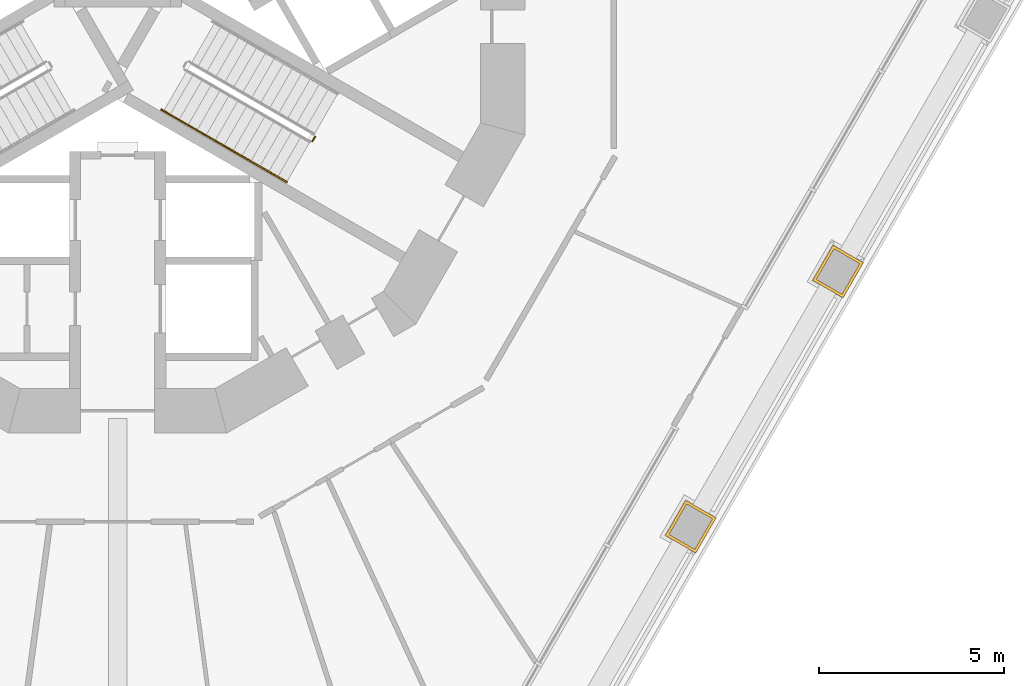
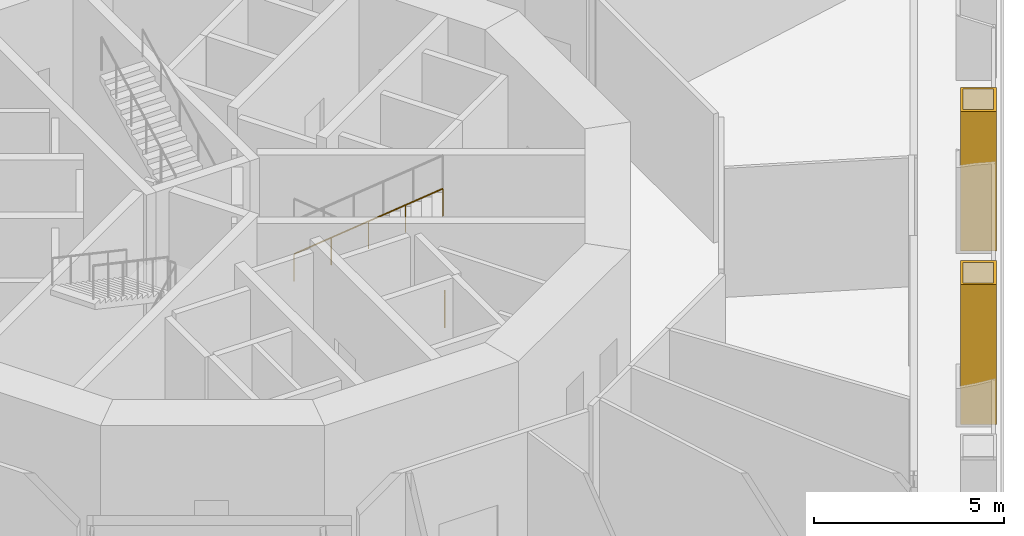
# One storey, part 17 of 21: 3 railings, 2 coverings.
"""IFC4 building model written with IfcOpenShell, lengths in metres."""

from ifc_helpers import new_model, si_unit, direction, frame, origin, origin_2d, place, context, subcontext, project, spatial, polyline, circle, outline, extrude, material, layer, layer_set, type_object, element, save


model = new_model("IFC4")

# Units and contexts
model_context = context("Model", 3, precision=1e-05, world=origin(), true_north=direction((0.0, 1.0)))
body_context = subcontext(model_context, "Body", "Model", "MODEL_VIEW")
ifc_project = project(units=[si_unit("LENGTHUNIT", "METRE"), si_unit("AREAUNIT", "SQUARE_METRE"), si_unit("VOLUMEUNIT", "CUBIC_METRE"), si_unit("PLANEANGLEUNIT", "RADIAN"), si_unit("MASSUNIT", "GRAM", prefix="KILO")], contexts=[model_context])

# Site, building, storey
site_placement = place(None, origin())
site = spatial("IfcSite", under=ifc_project, at=site_placement, CompositionType="ELEMENT")
building_placement = place(site_placement, origin())
building = spatial("IfcBuilding", under=site, at=building_placement, Name="Trine Commons Tower", CompositionType="ELEMENT")
storey_placement = place(building_placement, frame((0.0, 0.0, 27.0)))
storey = spatial("IfcBuildingStorey", under=building, at=storey_placement, Name="L05", CompositionType="ELEMENT", Elevation=27.0)

# Coverings
ifc_material_1 = material(Name="Limestone, honed", Category="masonry")
ifc_layer = layer(ifc_material_1, 0.074951171875)
ifc_layer_set = layer_set([ifc_layer], Name="Limestone, honed")
covering_type = type_object("IfcCoveringType", Name="Limestone column cladding 75", PredefinedType="CLADDING", material=ifc_layer_set)
covering_1_placement = place(storey_placement, origin())
element("IfcCovering", 1, at=covering_1_placement, inside=storey, type_object=covering_type, Name="Limestone pier cladding 1-20", PredefinedType="CLADDING", context=body_context, shape_type="SweptSolid", body=[
    extrude(outline(polyline([(100.15771484375, 56.0947265625), (99.334716796875, 56.569580078125), (98.784912109375, 55.6171875), (99.607666015625, 55.14208984375), (100.15771484375, 56.0947265625)]), holes=[polyline([(100.05517578125, 56.0673828125), (99.3623046875, 56.46728515625), (98.88720703125, 55.64453125), (99.580078125, 55.244384765625), (100.05517578125, 56.0673828125)])]), origin(), (0.0, 0.0, 1.0), 4.5),
])
covering_2_placement = place(storey_placement, origin())
element("IfcCovering", 2, at=covering_2_placement, inside=storey, type_object=covering_type, Name="Limestone pier cladding 1-21", PredefinedType="CLADDING", context=body_context, shape_type="SweptSolid", body=[
    extrude(outline(polyline([(96.17578125, 49.1982421875), (95.35302734375, 49.67333984375), (94.802978515625, 48.720703125), (95.6259765625, 48.24560546875), (96.17578125, 49.1982421875)]), holes=[polyline([(96.073486328125, 49.1708984375), (95.380615234375, 49.57080078125), (94.905517578125, 48.748046875), (95.598388671875, 48.34814453125), (96.073486328125, 49.1708984375)])]), origin(), (0.0, 0.0, 1.0), 4.5),
])

# Railings
ifc_material_2 = material(Name="Stainless steel balustrade", Category="steel")
railing_type_1 = type_object("IfcRailingType", Name="Stair guard, steel balustrade 1100", PredefinedType="GUARDRAIL", material=ifc_material_2)
railing_1_placement = place(storey_placement, frame((85.338134765625, 59.504638671875, 0.0)))
element("IfcRailing", 3, at=railing_1_placement, inside=storey, type_object=railing_type_1, Name="L05 ST3A stair guard 4", PredefinedType="GUARDRAIL", context=body_context, shape_type="SweptSolid", body=[
    extrude(circle(Radius=0.02392578125, at=origin_2d()), frame((0.0, 0.0, 1.076171875), z_axis=(-0.499816412211, -0.866131372301, 0.0), x_axis=(0.866131372301, -0.499816412211, 0.0)), (0.0, 0.0, 1.0), 0.14990234375),
    extrude(circle(Radius=0.02099609375, at=origin_2d()), origin(), (0.0, 0.0, 1.0), 1.052001953125),
    extrude(circle(Radius=0.02099609375, at=origin_2d()), frame((-0.074951171875, -0.1298828125, 0.0)), (0.0, 0.0, 1.0), 1.052001953125),
])
ifc_material_3 = material(Name="Stainless steel handrail", Category="steel")
railing_type_2 = type_object("IfcRailingType", Name="Stair handrail, steel 900", PredefinedType="HANDRAIL", material=ifc_material_3)
railing_2_placement = place(storey_placement, frame((81.175048828125, 60.23388671875, 2.39990234375)))
element("IfcRailing", 4, at=railing_2_placement, inside=storey, type_object=railing_type_2, Name="L05 ST3A stair handrail 3", PredefinedType="HANDRAIL", context=body_context, shape_type="SweptSolid", body=[
    extrude(circle(Radius=0.02099609375, at=origin_2d()), frame((0.0, 0.0, 0.87890625), z_axis=(0.763352030933, -0.440750151347, 0.472263677365), x_axis=(0.500024377727, 0.866011328839, 0.0)), (0.0, 0.0, 1.0), 2.223388671875),
    extrude(circle(Radius=0.01513671875, at=origin_2d()), origin(), (0.0, 0.0, 1.0), 0.85791015625),
    extrude(circle(Radius=0.01513671875, at=origin_2d()), frame((0.8486328125, -0.489990234375, 0.52490234375)), (0.0, 0.0, 1.0), 0.85791015625),
    extrude(circle(Radius=0.01513671875, at=origin_2d()), frame((1.697265625, -0.97998046875, 1.050048828125)), (0.0, 0.0, 1.0), 0.85791015625),
])
railing_3_placement = place(storey_placement, frame((82.872314453125, 59.25390625, 3.449951171875)))
element("IfcRailing", 5, at=railing_3_placement, inside=storey, type_object=railing_type_2, Name="L05 ST3A stair handrail 4", PredefinedType="HANDRAIL", context=body_context, shape_type="SweptSolid", body=[
    extrude(circle(Radius=0.02099609375, at=origin_2d()), frame((0.0, 0.0, 0.87890625), z_axis=(0.763397845365, -0.440713210311, 0.472224095054), x_axis=(0.499970440388, 0.866042469362, 0.0)), (0.0, 0.0, 1.0), 2.2236328125),
    extrude(circle(Radius=0.01513671875, at=origin_2d()), origin(), (0.0, 0.0, 1.0), 0.85791015625),
    extrude(circle(Radius=0.01513671875, at=origin_2d()), frame((0.8486328125, -0.489990234375, 0.52490234375)), (0.0, 0.0, 1.0), 0.85791015625),
    extrude(circle(Radius=0.01513671875, at=origin_2d()), frame((1.697509765625, -0.97998046875, 1.050048828125)), (0.0, 0.0, 1.0), 0.85791015625),
])

save(model, "model.ifc")
